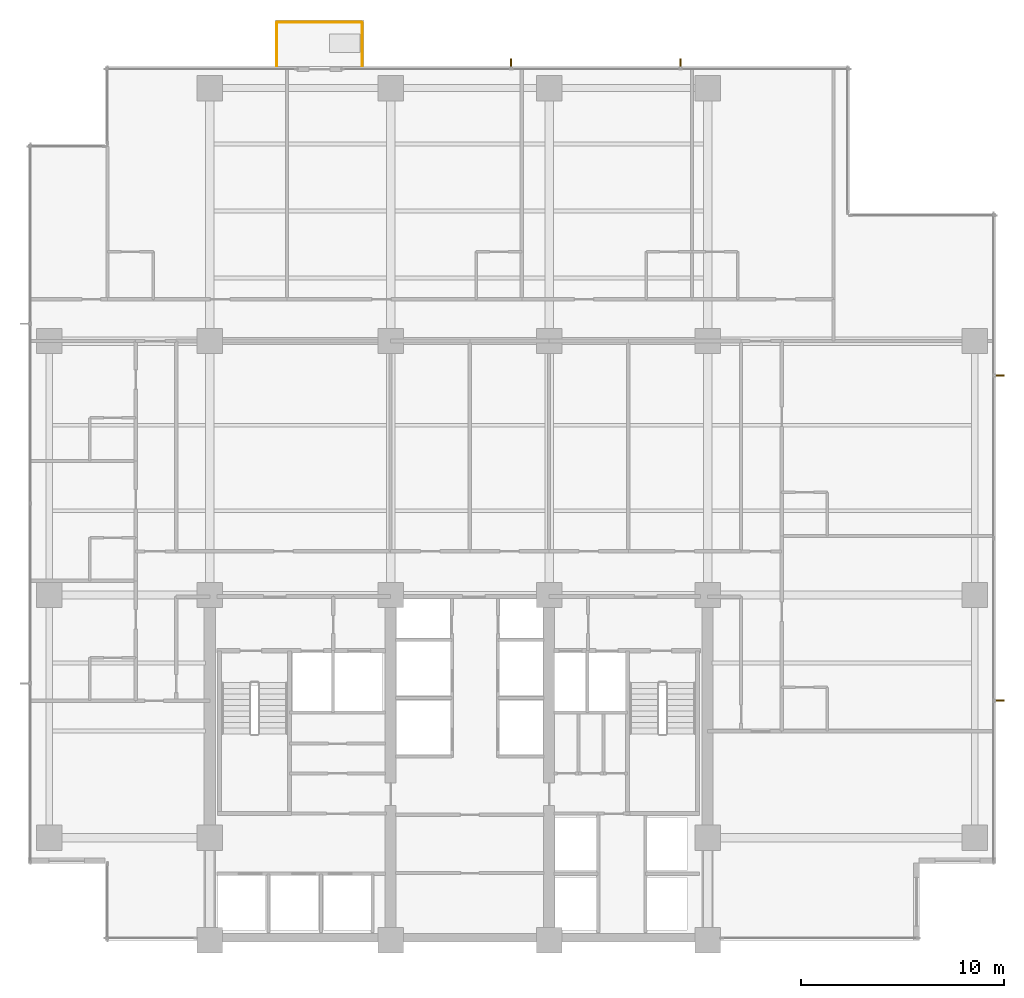
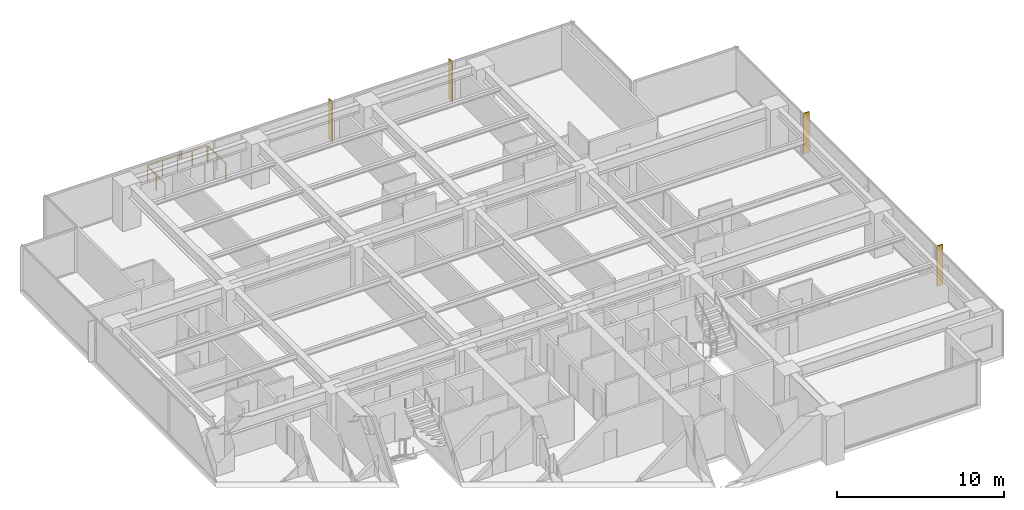
# One storey, part 17 of 17: 4 shading devices, 3 railings.
"""IFC4 building model written with IfcOpenShell, lengths in metres."""

from ifc_helpers import new_model, si_unit, direction, frame, origin, origin_2d, place, context, subcontext, project, spatial, polyline, circle, outline, extrude, material, layer, layer_set, type_object, element, save


model = new_model("IFC4")

# Units and contexts
model_context = context("Model", 3, precision=1e-05, world=origin(), true_north=direction((0.0, 1.0)))
body_context = subcontext(model_context, "Body", "Model", "MODEL_VIEW")
ifc_project = project(units=[si_unit("LENGTHUNIT", "METRE"), si_unit("AREAUNIT", "SQUARE_METRE"), si_unit("VOLUMEUNIT", "CUBIC_METRE"), si_unit("PLANEANGLEUNIT", "RADIAN"), si_unit("MASSUNIT", "GRAM", prefix="KILO")], contexts=[model_context])

# Site, building, storey
site_placement = place(None, origin())
site = spatial("IfcSite", under=ifc_project, at=site_placement, CompositionType="ELEMENT")
building_placement = place(site_placement, origin())
building = spatial("IfcBuilding", under=site, at=building_placement, Name="Qalmaran Belvedere Hotel", CompositionType="ELEMENT")
storey_placement = place(building_placement, frame((0.0, 0.0, 91.699951171875)))
storey = spatial("IfcBuildingStorey", under=building, at=storey_placement, Name="L22", CompositionType="ELEMENT", Elevation=91.699951171875)

# Shading devices
ifc_material = material(Name="Anodised Bronze Aluminium", Category="aluminium")
ifc_layer = layer(ifc_material, 0.06494140625, Name="Anodised Bronze Aluminium")
ifc_layer_set = layer_set([ifc_layer], Name="Anodised Bronze Aluminium")
shading_device_type = type_object("IfcShadingDeviceType", Name="FIN-BRNZ-420", PredefinedType="USERDEFINED", material=ifc_layer_set)
shading_device_1_placement = place(storey_placement, frame((0.0, 0.0, 0.16015625)))
element("IfcShadingDevice", 1, at=shading_device_1_placement, inside=storey, type_object=shading_device_type, Name="L22 Bronze Fin 1", ObjectType="FIN", PredefinedType="USERDEFINED", context=body_context, shape_type="SweptSolid", body=[
    extrude(outline(polyline([(58.969970703125, 15.267578125), (59.389892578125, 15.267578125), (59.389892578125, 15.33251953125), (58.969970703125, 15.33251953125), (58.969970703125, 15.267578125)])), origin(), (0.0, 0.0, 1.0), 2.9599609375),
])
shading_device_2_placement = place(storey_placement, frame((0.0, 0.0, 0.16015625)))
element("IfcShadingDevice", 2, at=shading_device_2_placement, inside=storey, type_object=shading_device_type, Name="L22 Bronze Fin 3", ObjectType="FIN", PredefinedType="USERDEFINED", context=body_context, shape_type="SweptSolid", body=[
    extrude(outline(polyline([(58.969970703125, 31.267578125), (59.389892578125, 31.267578125), (59.389892578125, 31.33251953125), (58.969970703125, 31.33251953125), (58.969970703125, 31.267578125)])), origin(), (0.0, 0.0, 1.0), 2.9599609375),
])
shading_device_3_placement = place(storey_placement, frame((0.0, 0.0, 0.16015625)))
element("IfcShadingDevice", 3, at=shading_device_3_placement, inside=storey, type_object=shading_device_type, Name="L22 Bronze Fin 1", ObjectType="FIN", PredefinedType="USERDEFINED", context=body_context, shape_type="SweptSolid", body=[
    extrude(outline(polyline([(43.499267578125, 46.469970703125), (43.499267578125, 46.889892578125), (43.43408203125, 46.889892578125), (43.43408203125, 46.469970703125), (43.499267578125, 46.469970703125)])), origin(), (0.0, 0.0, 1.0), 2.9599609375),
])
shading_device_4_placement = place(storey_placement, frame((0.0, 0.0, 0.16015625)))
element("IfcShadingDevice", 4, at=shading_device_4_placement, inside=storey, type_object=shading_device_type, Name="L22 Bronze Fin 2", ObjectType="FIN", PredefinedType="USERDEFINED", context=body_context, shape_type="SweptSolid", body=[
    extrude(outline(polyline([(35.165771484375, 46.469970703125), (35.165771484375, 46.889892578125), (35.100830078125, 46.889892578125), (35.100830078125, 46.469970703125), (35.165771484375, 46.469970703125)])), origin(), (0.0, 0.0, 1.0), 2.9599609375),
])

# Railings
railing_type = type_object("IfcRailingType", Name="GRD-BAL-1150", PredefinedType="BALUSTRADE", material=ifc_material)
railing_1_placement = place(storey_placement, frame((23.60009765625, 46.534912109375, 0.0)))
element("IfcRailing", 5, at=railing_1_placement, inside=storey, type_object=railing_type, Name="L22 Guardrail BAL-L22-N-1", PredefinedType="BALUSTRADE", context=body_context, shape_type="SweptSolid", body=[
    extrude(circle(Radius=0.02392578125, at=origin_2d()), frame((0.0, 0.0, 1.1259765625), z_axis=(0.0, 1.0, 0.0), x_axis=(-1.0, 0.0, 0.0)), (0.0, 0.0, 1.0), 2.130126953125),
    extrude(circle(Radius=0.02099609375, at=origin_2d()), origin(), (0.0, 0.0, 1.0), 1.101806640625),
    extrude(circle(Radius=0.02099609375, at=origin_2d()), frame((0.0, 1.06494140625, 0.0)), (0.0, 0.0, 1.0), 1.101806640625),
    extrude(circle(Radius=0.02099609375, at=origin_2d()), frame((0.0, 2.130126953125, 0.0)), (0.0, 0.0, 1.0), 1.101806640625),
])
railing_2_placement = place(storey_placement, frame((23.635009765625, 48.699951171875, 0.0)))
element("IfcRailing", 6, at=railing_2_placement, inside=storey, type_object=railing_type, Name="L22 Guardrail BAL-L22-N-2", PredefinedType="BALUSTRADE", context=body_context, shape_type="SweptSolid", body=[
    extrude(circle(Radius=0.02392578125, at=origin_2d()), frame((0.0, 0.0, 1.1259765625), z_axis=(1.0, 0.0, 0.0), x_axis=(0.0, 1.0, 0.0)), (0.0, 0.0, 1.0), 4.1298828125),
    extrude(circle(Radius=0.02099609375, at=origin_2d()), origin(), (0.0, 0.0, 1.0), 1.101806640625),
    extrude(circle(Radius=0.02099609375, at=origin_2d()), frame((1.032470703125, 0.0, 0.0)), (0.0, 0.0, 1.0), 1.101806640625),
    extrude(circle(Radius=0.02099609375, at=origin_2d()), frame((2.06494140625, 0.0, 0.0)), (0.0, 0.0, 1.0), 1.101806640625),
    extrude(circle(Radius=0.02099609375, at=origin_2d()), frame((3.097412109375, 0.0, 0.0)), (0.0, 0.0, 1.0), 1.101806640625),
    extrude(circle(Radius=0.02099609375, at=origin_2d()), frame((4.1298828125, 0.0, 0.0)), (0.0, 0.0, 1.0), 1.101806640625),
])
railing_3_placement = place(storey_placement, frame((27.800048828125, 48.6650390625, 0.0)))
element("IfcRailing", 7, at=railing_3_placement, inside=storey, type_object=railing_type, Name="L22 Guardrail BAL-L22-N-3", PredefinedType="BALUSTRADE", context=body_context, shape_type="SweptSolid", body=[
    extrude(circle(Radius=0.02392578125, at=origin_2d()), frame((0.0, 0.0, 1.1259765625), z_axis=(0.0, -1.0, 0.0), x_axis=(1.0, 0.0, 0.0)), (0.0, 0.0, 1.0), 2.130126953125),
    extrude(circle(Radius=0.02099609375, at=origin_2d()), origin(), (0.0, 0.0, 1.0), 1.101806640625),
    extrude(circle(Radius=0.02099609375, at=origin_2d()), frame((0.0, -1.06494140625, 0.0)), (0.0, 0.0, 1.0), 1.101806640625),
    extrude(circle(Radius=0.02099609375, at=origin_2d()), frame((0.0, -2.130126953125, 0.0)), (0.0, 0.0, 1.0), 1.101806640625),
])

save(model, "model.ifc")
